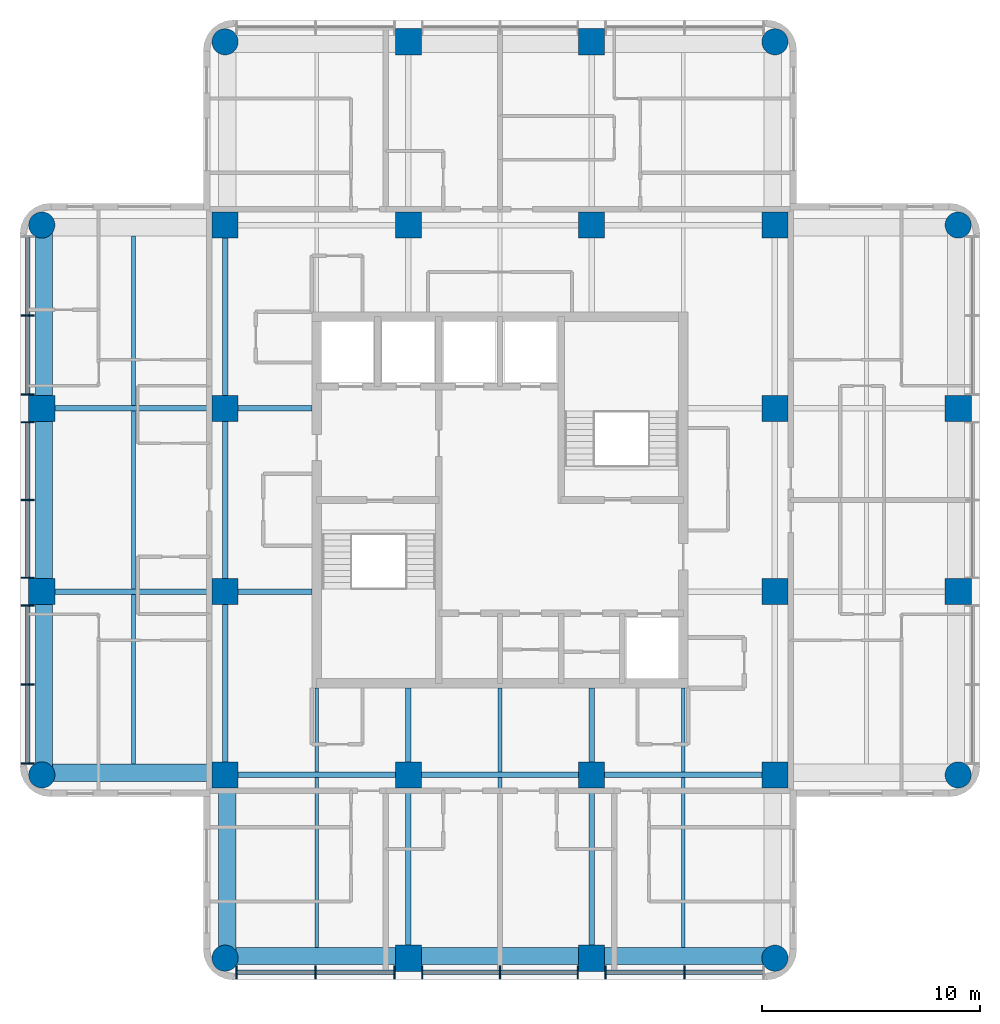
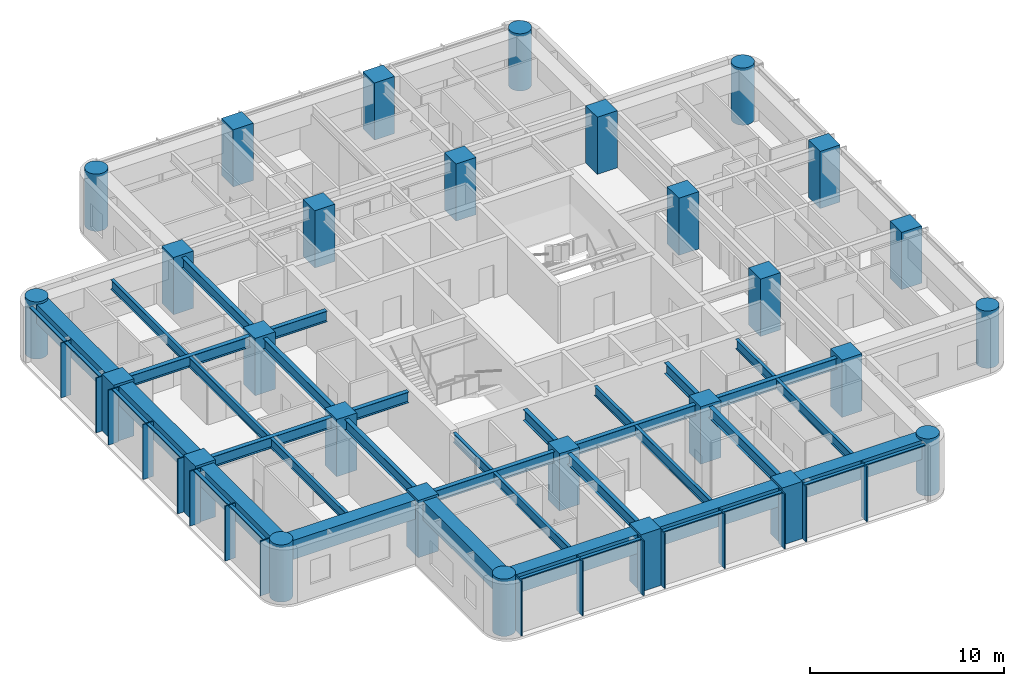
# One storey, part 1 of 10: 31 beams, 28 columns, 28 members, 2 elements without a shape of their own.
"""IFC4 building model written with IfcOpenShell, lengths in metres."""

from ifc_helpers import new_model, si_unit, direction, frame, origin, origin_2d, place, context, subcontext, project, spatial, rectangle, circle, i_section, extrude, material, material_profile, profile_set, type_object, element, aggregate, save


model = new_model("IFC4")

# Units and contexts
model_context = context("Model", 3, precision=1e-05, world=origin(), true_north=direction((0.0, 1.0)))
body_context = subcontext(model_context, "Body", "Model", "MODEL_VIEW")
ifc_project = project(units=[si_unit("LENGTHUNIT", "METRE"), si_unit("AREAUNIT", "SQUARE_METRE"), si_unit("VOLUMEUNIT", "CUBIC_METRE"), si_unit("PLANEANGLEUNIT", "RADIAN"), si_unit("MASSUNIT", "GRAM", prefix="KILO")], contexts=[model_context])

# Site, building, storey
site_placement = place(None, origin())
site = spatial("IfcSite", under=ifc_project, at=site_placement, CompositionType="ELEMENT")
building_placement = place(site_placement, origin())
building = spatial("IfcBuilding", under=site, at=building_placement, Name="Torre Alcanfor", CompositionType="ELEMENT")
storey_placement = place(building_placement, frame((0.0, 0.0, 275.699951171875)))
storey = spatial("IfcBuildingStorey", under=building, at=storey_placement, Name="L72", CompositionType="ELEMENT", Elevation=275.699951171875)

# Columns
ifc_material_1 = material(Name="Concrete f'c 70 MPa", Category="concrete")
ifc_material_profile_1 = material_profile(ifc_material_1, rectangle(XDim=1.199951171875, YDim=1.199951171875, at=origin_2d()), Name="1200x1200")
ifc_profile_set_1 = profile_set([ifc_material_profile_1], Name="Concrete f'c 70 MPa")
column_type_1 = type_object("IfcColumnType", Name="RC column 1200x1200 f'c70", PredefinedType="COLUMN", material=ifc_profile_set_1)
for number, where, z_axis, x_axis, name in (
    (1, (8.39990234375, 25.199951171875, 0.0), (0.0, 0.0, 1.0), (1.0, 0.0, 0.0), "Column 2/F L72"),
    (2, (8.39990234375, 33.60009765625, 0.0), (0.0, 0.0, 1.0), (1.0, 0.0, 0.0), "Column 2/G L72"),
    (3, (16.800048828125, 16.800048828125, 0.0), (0.0, 0.0, 1.0), (1.0, 0.0, 0.0), "Column 3/E L72"),
    (4, (16.800048828125, 25.199951171875, 0.0), (0.0, 0.0, 1.0), (1.0, 0.0, 0.0), "Column 3/F L72"),
    (5, (16.800048828125, 33.60009765625, 0.0), (0.0, 0.0, 1.0), (1.0, 0.0, 0.0), "Column 3/G L72"),
    (6, (16.800048828125, 42.0, 0.0), (0.0, 0.0, 1.0), (1.0, 0.0, 0.0), "Column 3/H L72"),
    (7, (25.199951171875, 8.39990234375, 0.0), (0.0, 0.0, 1.0), (1.0, 0.0, 0.0), "Column 4/D L72"),
    (8, (25.199951171875, 16.800048828125, 0.0), (0.0, 0.0, 1.0), (1.0, 0.0, 0.0), "Column 4/E L72"),
    (9, (25.199951171875, 42.0, 0.0), (0.0, 0.0, 1.0), (1.0, 0.0, 0.0), "Column 4/H L72"),
    (10, (25.199951171875, 50.39990234375, 0.0), (0.0, 0.0, 1.0), (1.0, 0.0, 0.0), "Column 4/J L72"),
    (11, (33.60009765625, 8.39990234375, 0.0), (0.0, 0.0, 1.0), (1.0, 0.0, 0.0), "Column 5/D L72"),
    (12, (33.60009765625, 16.800048828125, 0.0), (0.0, 0.0, 1.0), (1.0, 0.0, 0.0), "Column 5/E L72"),
    (13, (33.60009765625, 42.0, 0.0), (0.0, 0.0, 1.0), (1.0, 0.0, 0.0), "Column 5/H L72"),
    (14, (33.60009765625, 50.39990234375, 0.0), (0.0, 0.0, 1.0), (1.0, 0.0, 0.0), "Column 5/J L72"),
    (15, (42.0, 16.800048828125, 0.0), (0.0, 0.0, 1.0), (1.0, 0.0, 0.0), "Column 6/E L72"),
    (16, (42.0, 25.199951171875, 0.0), (0.0, 0.0, 1.0), (1.0, 0.0, 0.0), "Column 6/F L72"),
    (17, (42.0, 33.60009765625, 0.0), (0.0, 0.0, 1.0), (1.0, 0.0, 0.0), "Column 6/G L72"),
    (18, (42.0, 42.0, 0.0), (0.0, 0.0, 1.0), (1.0, 0.0, 0.0), "Column 6/H L72"),
    (19, (50.39990234375, 25.199951171875, 0.0), (0.0, 0.0, 1.0), (1.0, 0.0, 0.0), "Column 7/F L72"),
    (20, (50.39990234375, 33.60009765625, 0.0), (0.0, 0.0, 1.0), (1.0, 0.0, 0.0), "Column 7/G L72"),
):
    element("IfcColumn", number, at=place(storey_placement, frame(where, z_axis=z_axis, x_axis=x_axis)), inside=storey, type_object=column_type_1, Name=name, PredefinedType="COLUMN", context=body_context, shape_type="SweptSolid", body=[
        extrude(rectangle(XDim=1.199951171875, YDim=1.199951171875, at=origin_2d()), origin(), (0.0, 0.0, 1.0), 3.60009765625),
    ])
ifc_material_2 = material(Name="Concrete f'c 70 MPa", Category="concrete")
ifc_material_profile_2 = material_profile(ifc_material_2, circle(Radius=0.60009765625, at=origin_2d()), Name="D1200")
ifc_profile_set_2 = profile_set([ifc_material_profile_2], Name="Concrete f'c 70 MPa")
column_type_2 = type_object("IfcColumnType", Name="RC column D1200 f'c70", PredefinedType="COLUMN", material=ifc_profile_set_2)
for number, where, z_axis, x_axis, name in (
    (21, (8.39990234375, 16.800048828125, 0.0), (0.0, 0.0, 1.0), (1.0, 0.0, 0.0), "Column 2/E L72"),
    (22, (8.39990234375, 42.0, 0.0), (0.0, 0.0, 1.0), (1.0, 0.0, 0.0), "Column 2/H L72"),
    (23, (16.800048828125, 8.39990234375, 0.0), (0.0, 0.0, 1.0), (1.0, 0.0, 0.0), "Column 3/D L72"),
    (24, (16.800048828125, 50.39990234375, 0.0), (0.0, 0.0, 1.0), (1.0, 0.0, 0.0), "Column 3/J L72"),
    (25, (42.0, 8.39990234375, 0.0), (0.0, 0.0, 1.0), (1.0, 0.0, 0.0), "Column 6/D L72"),
    (26, (42.0, 50.39990234375, 0.0), (0.0, 0.0, 1.0), (1.0, 0.0, 0.0), "Column 6/J L72"),
    (27, (50.39990234375, 16.800048828125, 0.0), (0.0, 0.0, 1.0), (1.0, 0.0, 0.0), "Column 7/E L72"),
    (28, (50.39990234375, 42.0, 0.0), (0.0, 0.0, 1.0), (1.0, 0.0, 0.0), "Column 7/H L72"),
):
    element("IfcColumn", number, at=place(storey_placement, frame(where, z_axis=z_axis, x_axis=x_axis)), inside=storey, type_object=column_type_2, Name=name, PredefinedType="COLUMN", context=body_context, shape_type="SweptSolid", body=[
        extrude(circle(Radius=0.60009765625, at=origin_2d()), origin(), (0.0, 0.0, 1.0), 3.60009765625),
    ])

# Curtain wall, members
ifc_material_3 = material(Name="Aluminium and glass", Category="aluminium")
curtain_wall_type = type_object("IfcCurtainWallType", Name="CW-A unitised apartment glazing with vertical FIN", PredefinedType="NOTDEFINED", material=ifc_material_3)
curtain_wall_1_placement = place(storey_placement, origin())
curtain_wall_1 = element("IfcCurtainWall", 29, at=curtain_wall_1_placement, inside=storey, type_object=curtain_wall_type, Name="Curtain wall CW-A L72 2", PredefinedType="NOTDEFINED")
ifc_material_4 = material(Name="Bronze anodised aluminium", Category="aluminium")
ifc_material_profile_3 = material_profile(ifc_material_4, rectangle(XDim=0.60009765625, YDim=0.06494140625, at=origin_2d()), Name="CW-A mullion 65x600")
ifc_profile_set_3 = profile_set([ifc_material_profile_3], Name="Bronze anodised aluminium")
member_type_1 = type_object("IfcMemberType", Name="CW-A mullion with vertical FIN 65x600", PredefinedType="MULLION", material=ifc_profile_set_3)
member_1_placement = place(storey_placement, frame((7.75, 37.855712890625, 0.0), z_axis=(0.0, 0.0, 1.0), x_axis=(1.0, 0.0, 0.0)))
member_1 = element("IfcMember", 30, at=member_1_placement, type_object=member_type_1, Name="CW-A mullion 1.2", PredefinedType="MULLION", context=body_context, shape_type="SweptSolid", body=[
    extrude(rectangle(XDim=0.60009765625, YDim=0.06494140625, at=origin_2d()), origin(), (0.0, 0.0, 1.0), 3.449951171875),
])
member_2_placement = place(storey_placement, frame((7.75, 34.237548828125, 0.0), z_axis=(0.0, 0.0, 1.0), x_axis=(1.0, 0.0, 0.0)))
member_2 = element("IfcMember", 31, at=member_2_placement, type_object=member_type_1, Name="CW-A mullion 1.3", PredefinedType="MULLION", context=body_context, shape_type="SweptSolid", body=[
    extrude(rectangle(XDim=0.60009765625, YDim=0.06494140625, at=origin_2d()), origin(), (0.0, 0.0, 1.0), 3.449951171875),
])
member_3_placement = place(storey_placement, frame((7.75, 32.96240234375, 0.0), z_axis=(0.0, 0.0, 1.0), x_axis=(1.0, 0.0, 0.0)))
member_3 = element("IfcMember", 32, at=member_3_placement, type_object=member_type_1, Name="CW-A mullion 2.1", PredefinedType="MULLION", context=body_context, shape_type="SweptSolid", body=[
    extrude(rectangle(XDim=0.60009765625, YDim=0.06494140625, at=origin_2d()), origin(), (0.0, 0.0, 1.0), 3.449951171875),
])
member_4_placement = place(storey_placement, frame((7.75, 29.39990234375, 0.0), z_axis=(0.0, 0.0, 1.0), x_axis=(1.0, 0.0, 0.0)))
member_4 = element("IfcMember", 33, at=member_4_placement, type_object=member_type_1, Name="CW-A mullion 2.2", PredefinedType="MULLION", context=body_context, shape_type="SweptSolid", body=[
    extrude(rectangle(XDim=0.60009765625, YDim=0.06494140625, at=origin_2d()), origin(), (0.0, 0.0, 1.0), 3.449951171875),
])
member_5_placement = place(storey_placement, frame((7.75, 25.83740234375, 0.0), z_axis=(0.0, 0.0, 1.0), x_axis=(1.0, 0.0, 0.0)))
member_5 = element("IfcMember", 34, at=member_5_placement, type_object=member_type_1, Name="CW-A mullion 2.3", PredefinedType="MULLION", context=body_context, shape_type="SweptSolid", body=[
    extrude(rectangle(XDim=0.60009765625, YDim=0.06494140625, at=origin_2d()), origin(), (0.0, 0.0, 1.0), 3.449951171875),
])
member_6_placement = place(storey_placement, frame((7.75, 24.5625, 0.0), z_axis=(0.0, 0.0, 1.0), x_axis=(1.0, 0.0, 0.0)))
member_6 = element("IfcMember", 35, at=member_6_placement, type_object=member_type_1, Name="CW-A mullion 3.1", PredefinedType="MULLION", context=body_context, shape_type="SweptSolid", body=[
    extrude(rectangle(XDim=0.60009765625, YDim=0.06494140625, at=origin_2d()), origin(), (0.0, 0.0, 1.0), 3.449951171875),
])
member_7_placement = place(storey_placement, frame((7.75, 20.9443359375, 0.0), z_axis=(0.0, 0.0, 1.0), x_axis=(1.0, 0.0, 0.0)))
member_7 = element("IfcMember", 36, at=member_7_placement, type_object=member_type_1, Name="CW-A mullion 3.2", PredefinedType="MULLION", context=body_context, shape_type="SweptSolid", body=[
    extrude(rectangle(XDim=0.60009765625, YDim=0.06494140625, at=origin_2d()), origin(), (0.0, 0.0, 1.0), 3.449951171875),
])
member_8_placement = place(storey_placement, frame((7.75, 17.325927734375, 0.0), z_axis=(0.0, 0.0, 1.0), x_axis=(1.0, 0.0, 0.0)))
member_8 = element("IfcMember", 37, at=member_8_placement, type_object=member_type_1, Name="CW-A mullion 3.3", PredefinedType="MULLION", context=body_context, shape_type="SweptSolid", body=[
    extrude(rectangle(XDim=0.60009765625, YDim=0.06494140625, at=origin_2d()), origin(), (0.0, 0.0, 1.0), 3.449951171875),
])

curtain_wall_2_placement = place(storey_placement, origin())
curtain_wall_2 = element("IfcCurtainWall", 38, at=curtain_wall_2_placement, inside=storey, type_object=curtain_wall_type, Name="Curtain wall CW-A L72 5", PredefinedType="NOTDEFINED")
member_9_placement = place(storey_placement, frame((17.325927734375, 7.75, 0.0), z_axis=(0.0, 0.0, 1.0), x_axis=(0.0, 1.0, 0.0)))
member_9 = element("IfcMember", 39, at=member_9_placement, type_object=member_type_1, Name="CW-A mullion 1.1", PredefinedType="MULLION", context=body_context, shape_type="SweptSolid", body=[
    extrude(rectangle(XDim=0.60009765625, YDim=0.06494140625, at=origin_2d()), origin(), (0.0, 0.0, 1.0), 3.449951171875),
])
member_10_placement = place(storey_placement, frame((20.9443359375, 7.75, 0.0), z_axis=(0.0, 0.0, 1.0), x_axis=(0.0, 1.0, 0.0)))
member_10 = element("IfcMember", 40, at=member_10_placement, type_object=member_type_1, Name="CW-A mullion 1.2", PredefinedType="MULLION", context=body_context, shape_type="SweptSolid", body=[
    extrude(rectangle(XDim=0.60009765625, YDim=0.06494140625, at=origin_2d()), origin(), (0.0, 0.0, 1.0), 3.449951171875),
])
member_11_placement = place(storey_placement, frame((24.5625, 7.75, 0.0), z_axis=(0.0, 0.0, 1.0), x_axis=(0.0, 1.0, 0.0)))
member_11 = element("IfcMember", 41, at=member_11_placement, type_object=member_type_1, Name="CW-A mullion 1.3", PredefinedType="MULLION", context=body_context, shape_type="SweptSolid", body=[
    extrude(rectangle(XDim=0.60009765625, YDim=0.06494140625, at=origin_2d()), origin(), (0.0, 0.0, 1.0), 3.449951171875),
])
member_12_placement = place(storey_placement, frame((25.83740234375, 7.75, 0.0), z_axis=(0.0, 0.0, 1.0), x_axis=(0.0, 1.0, 0.0)))
member_12 = element("IfcMember", 42, at=member_12_placement, type_object=member_type_1, Name="CW-A mullion 2.1", PredefinedType="MULLION", context=body_context, shape_type="SweptSolid", body=[
    extrude(rectangle(XDim=0.60009765625, YDim=0.06494140625, at=origin_2d()), origin(), (0.0, 0.0, 1.0), 3.449951171875),
])
member_13_placement = place(storey_placement, frame((29.39990234375, 7.75, 0.0), z_axis=(0.0, 0.0, 1.0), x_axis=(0.0, 1.0, 0.0)))
member_13 = element("IfcMember", 43, at=member_13_placement, type_object=member_type_1, Name="CW-A mullion 2.2", PredefinedType="MULLION", context=body_context, shape_type="SweptSolid", body=[
    extrude(rectangle(XDim=0.60009765625, YDim=0.06494140625, at=origin_2d()), origin(), (0.0, 0.0, 1.0), 3.449951171875),
])
member_14_placement = place(storey_placement, frame((32.96240234375, 7.75, 0.0), z_axis=(0.0, 0.0, 1.0), x_axis=(0.0, 1.0, 0.0)))
member_14 = element("IfcMember", 44, at=member_14_placement, type_object=member_type_1, Name="CW-A mullion 2.3", PredefinedType="MULLION", context=body_context, shape_type="SweptSolid", body=[
    extrude(rectangle(XDim=0.60009765625, YDim=0.06494140625, at=origin_2d()), origin(), (0.0, 0.0, 1.0), 3.449951171875),
])
member_15_placement = place(storey_placement, frame((34.237548828125, 7.75, 0.0), z_axis=(0.0, 0.0, 1.0), x_axis=(0.0, 1.0, 0.0)))
member_15 = element("IfcMember", 45, at=member_15_placement, type_object=member_type_1, Name="CW-A mullion 3.1", PredefinedType="MULLION", context=body_context, shape_type="SweptSolid", body=[
    extrude(rectangle(XDim=0.60009765625, YDim=0.06494140625, at=origin_2d()), origin(), (0.0, 0.0, 1.0), 3.449951171875),
])
member_16_placement = place(storey_placement, frame((37.855712890625, 7.75, 0.0), z_axis=(0.0, 0.0, 1.0), x_axis=(0.0, 1.0, 0.0)))
member_16 = element("IfcMember", 46, at=member_16_placement, type_object=member_type_1, Name="CW-A mullion 3.2", PredefinedType="MULLION", context=body_context, shape_type="SweptSolid", body=[
    extrude(rectangle(XDim=0.60009765625, YDim=0.06494140625, at=origin_2d()), origin(), (0.0, 0.0, 1.0), 3.449951171875),
])

# Member
ifc_material_5 = material(Name="Extruded aluminium", Category="aluminium")
ifc_material_profile_4 = material_profile(ifc_material_5, rectangle(XDim=0.199951171875, YDim=0.06494140625, at=origin_2d()), Name="CW-A transom 200x65")
ifc_profile_set_4 = profile_set([ifc_material_profile_4], Name="Extruded aluminium")
member_type_2 = type_object("IfcMemberType", Name="CW-A transom 65x200", PredefinedType="USERDEFINED", material=ifc_profile_set_4)
member_17_placement = place(storey_placement, frame((7.75, 41.44140625, 3.41748046875), z_axis=(0.0, -1.0, 0.0), x_axis=(1.0, 0.0, 0.0)))
member_17 = element("IfcMember", 47, at=member_17_placement, type_object=member_type_2, Name="CW-A transom 1.1.2", ObjectType="TRANSOM", PredefinedType="USERDEFINED", context=body_context, shape_type="SweptSolid", body=[
    extrude(rectangle(XDim=0.199951171875, YDim=0.06494140625, at=origin_2d()), origin(), (0.0, 0.0, 1.0), 3.55322265625),
])

member_18_placement = place(storey_placement, frame((7.75, 37.8232421875, 3.41748046875), z_axis=(0.0, -1.0, 0.0), x_axis=(1.0, 0.0, 0.0)))
member_18 = element("IfcMember", 48, at=member_18_placement, type_object=member_type_2, Name="CW-A transom 1.2.2", ObjectType="TRANSOM", PredefinedType="USERDEFINED", context=body_context, shape_type="SweptSolid", body=[
    extrude(rectangle(XDim=0.199951171875, YDim=0.06494140625, at=origin_2d()), origin(), (0.0, 0.0, 1.0), 3.55322265625),
])

member_19_placement = place(storey_placement, frame((7.75, 32.929931640625, 3.41748046875), z_axis=(0.0, -1.0, 0.0), x_axis=(1.0, 0.0, 0.0)))
member_19 = element("IfcMember", 49, at=member_19_placement, type_object=member_type_2, Name="CW-A transom 2.1.2", ObjectType="TRANSOM", PredefinedType="USERDEFINED", context=body_context, shape_type="SweptSolid", body=[
    extrude(rectangle(XDim=0.199951171875, YDim=0.06494140625, at=origin_2d()), origin(), (0.0, 0.0, 1.0), 3.497314453125),
])

member_20_placement = place(storey_placement, frame((7.75, 29.367431640625, 3.41748046875), z_axis=(0.0, -1.0, 0.0), x_axis=(1.0, 0.0, 0.0)))
member_20 = element("IfcMember", 50, at=member_20_placement, type_object=member_type_2, Name="CW-A transom 2.2.2", ObjectType="TRANSOM", PredefinedType="USERDEFINED", context=body_context, shape_type="SweptSolid", body=[
    extrude(rectangle(XDim=0.199951171875, YDim=0.06494140625, at=origin_2d()), origin(), (0.0, 0.0, 1.0), 3.497314453125),
])

member_21_placement = place(storey_placement, frame((7.75, 24.530029296875, 3.41748046875), z_axis=(0.0, -1.0, 0.0), x_axis=(1.0, 0.0, 0.0)))
member_21 = element("IfcMember", 51, at=member_21_placement, type_object=member_type_2, Name="CW-A transom 3.1.2", ObjectType="TRANSOM", PredefinedType="USERDEFINED", context=body_context, shape_type="SweptSolid", body=[
    extrude(rectangle(XDim=0.199951171875, YDim=0.06494140625, at=origin_2d()), origin(), (0.0, 0.0, 1.0), 3.55322265625),
])

member_22_placement = place(storey_placement, frame((7.75, 20.911865234375, 3.41748046875), z_axis=(0.0, -1.0, 0.0), x_axis=(1.0, 0.0, 0.0)))
member_22 = element("IfcMember", 52, at=member_22_placement, type_object=member_type_2, Name="CW-A transom 3.2.2", ObjectType="TRANSOM", PredefinedType="USERDEFINED", context=body_context, shape_type="SweptSolid", body=[
    extrude(rectangle(XDim=0.199951171875, YDim=0.06494140625, at=origin_2d()), origin(), (0.0, 0.0, 1.0), 3.553466796875),
])

aggregate(curtain_wall_1, [member_1, member_2, member_17, member_18, member_3, member_4, member_5, member_19, member_20, member_6, member_7, member_8, member_21, member_22])

member_23_placement = place(storey_placement, frame((17.3583984375, 7.75, 3.41748046875), z_axis=(1.0, 0.0, 0.0), x_axis=(0.0, 1.0, 0.0)))
member_23 = element("IfcMember", 53, at=member_23_placement, type_object=member_type_2, Name="CW-A transom 1.1.2", ObjectType="TRANSOM", PredefinedType="USERDEFINED", context=body_context, shape_type="SweptSolid", body=[
    extrude(rectangle(XDim=0.199951171875, YDim=0.06494140625, at=origin_2d()), origin(), (0.0, 0.0, 1.0), 3.553466796875),
])

member_24_placement = place(storey_placement, frame((20.976806640625, 7.75, 3.41748046875), z_axis=(1.0, 0.0, 0.0), x_axis=(0.0, 1.0, 0.0)))
member_24 = element("IfcMember", 54, at=member_24_placement, type_object=member_type_2, Name="CW-A transom 1.2.2", ObjectType="TRANSOM", PredefinedType="USERDEFINED", context=body_context, shape_type="SweptSolid", body=[
    extrude(rectangle(XDim=0.199951171875, YDim=0.06494140625, at=origin_2d()), origin(), (0.0, 0.0, 1.0), 3.55322265625),
])

member_25_placement = place(storey_placement, frame((25.8701171875, 7.75, 3.41748046875), z_axis=(1.0, 0.0, 0.0), x_axis=(0.0, 1.0, 0.0)))
member_25 = element("IfcMember", 55, at=member_25_placement, type_object=member_type_2, Name="CW-A transom 2.1.2", ObjectType="TRANSOM", PredefinedType="USERDEFINED", context=body_context, shape_type="SweptSolid", body=[
    extrude(rectangle(XDim=0.199951171875, YDim=0.06494140625, at=origin_2d()), origin(), (0.0, 0.0, 1.0), 3.497314453125),
])

member_26_placement = place(storey_placement, frame((29.4326171875, 7.75, 3.41748046875), z_axis=(1.0, 0.0, 0.0), x_axis=(0.0, 1.0, 0.0)))
member_26 = element("IfcMember", 56, at=member_26_placement, type_object=member_type_2, Name="CW-A transom 2.2.2", ObjectType="TRANSOM", PredefinedType="USERDEFINED", context=body_context, shape_type="SweptSolid", body=[
    extrude(rectangle(XDim=0.199951171875, YDim=0.06494140625, at=origin_2d()), origin(), (0.0, 0.0, 1.0), 3.497314453125),
])

member_27_placement = place(storey_placement, frame((34.27001953125, 7.75, 3.41748046875), z_axis=(1.0, 0.0, 0.0), x_axis=(0.0, 1.0, 0.0)))
member_27 = element("IfcMember", 57, at=member_27_placement, type_object=member_type_2, Name="CW-A transom 3.1.2", ObjectType="TRANSOM", PredefinedType="USERDEFINED", context=body_context, shape_type="SweptSolid", body=[
    extrude(rectangle(XDim=0.199951171875, YDim=0.06494140625, at=origin_2d()), origin(), (0.0, 0.0, 1.0), 3.55322265625),
])

member_28_placement = place(storey_placement, frame((37.88818359375, 7.75, 3.41748046875), z_axis=(1.0, 0.0, 0.0), x_axis=(0.0, 1.0, 0.0)))
member_28 = element("IfcMember", 58, at=member_28_placement, type_object=member_type_2, Name="CW-A transom 3.2.2", ObjectType="TRANSOM", PredefinedType="USERDEFINED", context=body_context, shape_type="SweptSolid", body=[
    extrude(rectangle(XDim=0.199951171875, YDim=0.06494140625, at=origin_2d()), origin(), (0.0, 0.0, 1.0), 3.55322265625),
])

aggregate(curtain_wall_2, [member_9, member_10, member_11, member_23, member_24, member_12, member_13, member_14, member_25, member_26, member_15, member_16, member_27, member_28])

# Beams
ifc_material_6 = material(Name="Steel ASTM A992 Grade 50", Category="steel")
ifc_material_profile_5 = material_profile(ifc_material_6, i_section(OverallWidth=0.25390625, OverallDepth=0.683349609375, WebThickness=0.012451171875, FlangeThickness=0.01904296875, at=origin_2d()), Name="W27x94")
ifc_profile_set_5 = profile_set([ifc_material_profile_5], Name="Steel ASTM A992 Grade 50")
beam_type_1 = type_object("IfcBeamType", Name="Girder W27x94", PredefinedType="BEAM", material=ifc_profile_set_5)
beam_1_placement = place(storey_placement, frame((16.800048828125, 16.800048828125, 3.1083984375), z_axis=(1.0, 0.0, 0.0), x_axis=(0.0, 1.0, 0.0)))
element("IfcBeam", 59, at=beam_1_placement, inside=storey, type_object=beam_type_1, Name="Beam 3E-4E under L73", PredefinedType="BEAM", context=body_context, shape_type="SweptSolid", body=[
    extrude(i_section(OverallWidth=0.25390625, OverallDepth=0.683349609375, WebThickness=0.012451171875, FlangeThickness=0.01904296875, at=origin_2d()), origin(), (0.0, 0.0, 1.0), 8.39990234375),
])
beam_2_placement = place(storey_placement, frame((25.199951171875, 16.800048828125, 3.1083984375), z_axis=(1.0, 0.0, 0.0), x_axis=(0.0, 1.0, 0.0)))
element("IfcBeam", 60, at=beam_2_placement, inside=storey, type_object=beam_type_1, Name="Beam 4E-5E under L73", PredefinedType="BEAM", context=body_context, shape_type="SweptSolid", body=[
    extrude(i_section(OverallWidth=0.25390625, OverallDepth=0.683349609375, WebThickness=0.012451171875, FlangeThickness=0.01904296875, at=origin_2d()), origin(), (0.0, 0.0, 1.0), 8.400146484375),
])
beam_3_placement = place(storey_placement, frame((33.60009765625, 16.800048828125, 3.1083984375), z_axis=(1.0, 0.0, 0.0), x_axis=(0.0, 1.0, 0.0)))
element("IfcBeam", 61, at=beam_3_placement, inside=storey, type_object=beam_type_1, Name="Beam 5E-6E under L73", PredefinedType="BEAM", context=body_context, shape_type="SweptSolid", body=[
    extrude(i_section(OverallWidth=0.25390625, OverallDepth=0.683349609375, WebThickness=0.012451171875, FlangeThickness=0.01904296875, at=origin_2d()), origin(), (0.0, 0.0, 1.0), 8.39990234375),
])
for number, where, z_axis, x_axis, name in (
    (62, (8.39990234375, 25.199951171875, 3.1083984375), (1.0, 0.0, 0.0), (0.0, 1.0, 0.0), "Beam 2F-3F under L73"),
    (63, (8.39990234375, 33.60009765625, 3.1083984375), (1.0, 0.0, 0.0), (0.0, 1.0, 0.0), "Beam 2G-3G under L73"),
):
    element("IfcBeam", number, at=place(storey_placement, frame(where, z_axis=z_axis, x_axis=x_axis)), inside=storey, type_object=beam_type_1, Name=name, PredefinedType="BEAM", context=body_context, shape_type="SweptSolid", body=[
        extrude(i_section(OverallWidth=0.25390625, OverallDepth=0.683349609375, WebThickness=0.012451171875, FlangeThickness=0.01904296875, at=origin_2d()), origin(), (0.0, 0.0, 1.0), 8.400146484375),
    ])
beam_4_placement = place(storey_placement, frame((16.800048828125, 16.800048828125, 3.1083984375), z_axis=(0.0, 1.0, 0.0), x_axis=(-1.0, 0.0, 0.0)))
element("IfcBeam", 64, at=beam_4_placement, inside=storey, type_object=beam_type_1, Name="Beam 3E-3F under L73", PredefinedType="BEAM", context=body_context, shape_type="SweptSolid", body=[
    extrude(i_section(OverallWidth=0.25390625, OverallDepth=0.683349609375, WebThickness=0.012451171875, FlangeThickness=0.01904296875, at=origin_2d()), origin(), (0.0, 0.0, 1.0), 8.39990234375),
])
beam_5_placement = place(storey_placement, frame((16.800048828125, 25.199951171875, 3.1083984375), z_axis=(0.0, 1.0, 0.0), x_axis=(-1.0, 0.0, 0.0)))
element("IfcBeam", 65, at=beam_5_placement, inside=storey, type_object=beam_type_1, Name="Beam 3F-3G under L73", PredefinedType="BEAM", context=body_context, shape_type="SweptSolid", body=[
    extrude(i_section(OverallWidth=0.25390625, OverallDepth=0.683349609375, WebThickness=0.012451171875, FlangeThickness=0.01904296875, at=origin_2d()), origin(), (0.0, 0.0, 1.0), 8.400146484375),
])
beam_6_placement = place(storey_placement, frame((16.800048828125, 33.60009765625, 3.1083984375), z_axis=(0.0, 1.0, 0.0), x_axis=(-1.0, 0.0, 0.0)))
element("IfcBeam", 66, at=beam_6_placement, inside=storey, type_object=beam_type_1, Name="Beam 3G-3H under L73", PredefinedType="BEAM", context=body_context, shape_type="SweptSolid", body=[
    extrude(i_section(OverallWidth=0.25390625, OverallDepth=0.683349609375, WebThickness=0.012451171875, FlangeThickness=0.01904296875, at=origin_2d()), origin(), (0.0, 0.0, 1.0), 8.39990234375),
])
for number, where, z_axis, x_axis, name in (
    (67, (25.199951171875, 8.39990234375, 3.1083984375), (0.0, 1.0, 0.0), (-1.0, 0.0, 0.0), "Beam 4D-4E under L73"),
    (68, (33.60009765625, 8.39990234375, 3.1083984375), (0.0, 1.0, 0.0), (-1.0, 0.0, 0.0), "Beam 5D-5E under L73"),
):
    element("IfcBeam", number, at=place(storey_placement, frame(where, z_axis=z_axis, x_axis=x_axis)), inside=storey, type_object=beam_type_1, Name=name, PredefinedType="BEAM", context=body_context, shape_type="SweptSolid", body=[
        extrude(i_section(OverallWidth=0.25390625, OverallDepth=0.683349609375, WebThickness=0.012451171875, FlangeThickness=0.01904296875, at=origin_2d()), origin(), (0.0, 0.0, 1.0), 8.400146484375),
    ])
ifc_material_7 = material(Name="Steel ASTM A992 Grade 50", Category="steel")
ifc_material_profile_6 = material_profile(ifc_material_7, i_section(OverallWidth=0.25390625, OverallDepth=0.683349609375, WebThickness=0.012451171875, FlangeThickness=0.01904296875, at=origin_2d()), Name="W27x94")
ifc_profile_set_6 = profile_set([ifc_material_profile_6], Name="Steel ASTM A992 Grade 50")
beam_type_2 = type_object("IfcBeamType", Name="Girder, part bay W27x94", PredefinedType="BEAM", material=ifc_profile_set_6)
for number, where, z_axis, x_axis, name in (
    (69, (25.199951171875, 16.800048828125, 3.1083984375), (0.0, 1.0, 0.0), (-1.0, 0.0, 0.0), "Beam 4E-420_775 under L73"),
    (70, (33.60009765625, 16.800048828125, 3.1083984375), (0.0, 1.0, 0.0), (-1.0, 0.0, 0.0), "Beam 5E-520_775 under L73"),
    (71, (16.800048828125, 25.199951171875, 3.1083984375), (1.0, 0.0, 0.0), (0.0, 1.0, 0.0), "Beam 3F-20_775F under L73"),
    (72, (16.800048828125, 33.60009765625, 3.1083984375), (1.0, 0.0, 0.0), (0.0, 1.0, 0.0), "Beam 3G-20_775G under L73"),
):
    element("IfcBeam", number, at=place(storey_placement, frame(where, z_axis=z_axis, x_axis=x_axis)), inside=storey, type_object=beam_type_2, Name=name, PredefinedType="BEAM", context=body_context, shape_type="SweptSolid", body=[
        extrude(i_section(OverallWidth=0.25390625, OverallDepth=0.683349609375, WebThickness=0.012451171875, FlangeThickness=0.01904296875, at=origin_2d()), origin(), (0.0, 0.0, 1.0), 3.974853515625),
    ])
ifc_material_8 = material(Name="Concrete f'c 70 MPa", Category="concrete")
ifc_material_profile_7 = material_profile(ifc_material_8, rectangle(XDim=0.800048828125, YDim=1.199951171875, at=origin_2d()), Name="800x1200")
ifc_profile_set_7 = profile_set([ifc_material_profile_7], Name="Concrete f'c 70 MPa")
beam_type_3 = type_object("IfcBeamType", Name="RC perimeter beam 800x1200", PredefinedType="BEAM", material=ifc_profile_set_7)
beam_7_placement = place(storey_placement, frame((16.800048828125, 8.5, 2.85009765625), z_axis=(1.0, 0.0, 0.0), x_axis=(0.0, 1.0, 0.0)))
element("IfcBeam", 73, at=beam_7_placement, inside=storey, type_object=beam_type_3, Name="Beam 3D-4D under L73", PredefinedType="BEAM", context=body_context, shape_type="SweptSolid", body=[
    extrude(rectangle(XDim=0.800048828125, YDim=1.199951171875, at=origin_2d()), origin(), (0.0, 0.0, 1.0), 8.27294921875),
])
beam_8_placement = place(storey_placement, frame((25.326904296875, 8.5, 2.85009765625), z_axis=(1.0, 0.0, 0.0), x_axis=(0.0, 1.0, 0.0)))
element("IfcBeam", 74, at=beam_8_placement, inside=storey, type_object=beam_type_3, Name="Beam 4D-5D under L73", PredefinedType="BEAM", context=body_context, shape_type="SweptSolid", body=[
    extrude(rectangle(XDim=0.800048828125, YDim=1.199951171875, at=origin_2d()), origin(), (0.0, 0.0, 1.0), 8.14599609375),
])
beam_9_placement = place(storey_placement, frame((33.72705078125, 8.5, 2.85009765625), z_axis=(1.0, 0.0, 0.0), x_axis=(0.0, 1.0, 0.0)))
element("IfcBeam", 75, at=beam_9_placement, inside=storey, type_object=beam_type_3, Name="Beam 5D-6D under L73", PredefinedType="BEAM", context=body_context, shape_type="SweptSolid", body=[
    extrude(rectangle(XDim=0.800048828125, YDim=1.199951171875, at=origin_2d()), origin(), (0.0, 0.0, 1.0), 8.27294921875),
])
beam_10_placement = place(storey_placement, frame((8.39990234375, 16.89990234375, 2.85009765625), z_axis=(1.0, 0.0, 0.0), x_axis=(0.0, 1.0, 0.0)))
element("IfcBeam", 76, at=beam_10_placement, inside=storey, type_object=beam_type_3, Name="Beam 2E-3E under L73", PredefinedType="BEAM", context=body_context, shape_type="SweptSolid", body=[
    extrude(rectangle(XDim=0.800048828125, YDim=1.199951171875, at=origin_2d()), origin(), (0.0, 0.0, 1.0), 8.273193359375),
])
beam_11_placement = place(storey_placement, frame((8.5, 16.800048828125, 2.85009765625), z_axis=(0.0, 1.0, 0.0), x_axis=(-1.0, 0.0, 0.0)))
element("IfcBeam", 77, at=beam_11_placement, inside=storey, type_object=beam_type_3, Name="Beam 2E-2F under L73", PredefinedType="BEAM", context=body_context, shape_type="SweptSolid", body=[
    extrude(rectangle(XDim=0.800048828125, YDim=1.199951171875, at=origin_2d()), origin(), (0.0, 0.0, 1.0), 8.27294921875),
])
beam_12_placement = place(storey_placement, frame((8.5, 25.326904296875, 2.85009765625), z_axis=(0.0, 1.0, 0.0), x_axis=(-1.0, 0.0, 0.0)))
element("IfcBeam", 78, at=beam_12_placement, inside=storey, type_object=beam_type_3, Name="Beam 2F-2G under L73", PredefinedType="BEAM", context=body_context, shape_type="SweptSolid", body=[
    extrude(rectangle(XDim=0.800048828125, YDim=1.199951171875, at=origin_2d()), origin(), (0.0, 0.0, 1.0), 8.14599609375),
])
beam_13_placement = place(storey_placement, frame((8.5, 33.72705078125, 2.85009765625), z_axis=(0.0, 1.0, 0.0), x_axis=(-1.0, 0.0, 0.0)))
element("IfcBeam", 79, at=beam_13_placement, inside=storey, type_object=beam_type_3, Name="Beam 2G-2H under L73", PredefinedType="BEAM", context=body_context, shape_type="SweptSolid", body=[
    extrude(rectangle(XDim=0.800048828125, YDim=1.199951171875, at=origin_2d()), origin(), (0.0, 0.0, 1.0), 8.27294921875),
])
beam_14_placement = place(storey_placement, frame((16.89990234375, 8.39990234375, 2.85009765625), z_axis=(0.0, 1.0, 0.0), x_axis=(-1.0, 0.0, 0.0)))
element("IfcBeam", 80, at=beam_14_placement, inside=storey, type_object=beam_type_3, Name="Beam 3D-3E under L73", PredefinedType="BEAM", context=body_context, shape_type="SweptSolid", body=[
    extrude(rectangle(XDim=0.800048828125, YDim=1.199951171875, at=origin_2d()), origin(), (0.0, 0.0, 1.0), 8.273193359375),
])
ifc_material_9 = material(Name="Steel ASTM A992 Grade 50", Category="steel")
ifc_material_profile_8 = material_profile(ifc_material_9, i_section(OverallWidth=0.1787109375, OverallDepth=0.60205078125, WebThickness=0.010986328125, FlangeThickness=0.014892578125, at=origin_2d()), Name="W24x62")
ifc_profile_set_8 = profile_set([ifc_material_profile_8], Name="Steel ASTM A992 Grade 50")
beam_type_4 = type_object("IfcBeamType", Name="Secondary beam W24x62", PredefinedType="BEAM", material=ifc_profile_set_8)
beam_15_placement = place(storey_placement, frame((12.60009765625, 17.300048828125, 3.149169921875), z_axis=(0.0, 1.0, 0.0), x_axis=(-1.0, 0.0, 0.0)))
element("IfcBeam", 81, at=beam_15_placement, inside=storey, type_object=beam_type_4, Name="Beam 12_6E-12_6F under L73", PredefinedType="BEAM", context=body_context, shape_type="SweptSolid", body=[
    extrude(i_section(OverallWidth=0.1787109375, OverallDepth=0.60205078125, WebThickness=0.010986328125, FlangeThickness=0.014892578125, at=origin_2d()), origin(), (0.0, 0.0, 1.0), 7.77294921875),
])
beam_16_placement = place(storey_placement, frame((12.60009765625, 25.326904296875, 3.149169921875), z_axis=(0.0, 1.0, 0.0), x_axis=(-1.0, 0.0, 0.0)))
element("IfcBeam", 82, at=beam_16_placement, inside=storey, type_object=beam_type_4, Name="Beam 12_6F-12_6G under L73", PredefinedType="BEAM", context=body_context, shape_type="SweptSolid", body=[
    extrude(i_section(OverallWidth=0.1787109375, OverallDepth=0.60205078125, WebThickness=0.010986328125, FlangeThickness=0.014892578125, at=origin_2d()), origin(), (0.0, 0.0, 1.0), 8.14599609375),
])
beam_17_placement = place(storey_placement, frame((12.60009765625, 33.72705078125, 3.149169921875), z_axis=(0.0, 1.0, 0.0), x_axis=(-1.0, 0.0, 0.0)))
element("IfcBeam", 83, at=beam_17_placement, inside=storey, type_object=beam_type_4, Name="Beam 12_6G-12_6H under L73", PredefinedType="BEAM", context=body_context, shape_type="SweptSolid", body=[
    extrude(i_section(OverallWidth=0.1787109375, OverallDepth=0.60205078125, WebThickness=0.010986328125, FlangeThickness=0.014892578125, at=origin_2d()), origin(), (0.0, 0.0, 1.0), 7.77294921875),
])
for number, where, z_axis, x_axis, name in (
    (84, (21.0, 8.89990234375, 3.149169921875), (0.0, 1.0, 0.0), (-1.0, 0.0, 0.0), "Beam 21D-21E under L73"),
    (85, (29.39990234375, 8.89990234375, 3.149169921875), (0.0, 1.0, 0.0), (-1.0, 0.0, 0.0), "Beam 29_4D-29_4E under L73"),
    (86, (37.800048828125, 8.89990234375, 3.149169921875), (0.0, 1.0, 0.0), (-1.0, 0.0, 0.0), "Beam 37_8D-37_8E under L73"),
):
    element("IfcBeam", number, at=place(storey_placement, frame(where, z_axis=z_axis, x_axis=x_axis)), inside=storey, type_object=beam_type_4, Name=name, PredefinedType="BEAM", context=body_context, shape_type="SweptSolid", body=[
        extrude(i_section(OverallWidth=0.1787109375, OverallDepth=0.60205078125, WebThickness=0.010986328125, FlangeThickness=0.014892578125, at=origin_2d()), origin(), (0.0, 0.0, 1.0), 7.773193359375),
    ])
ifc_material_10 = material(Name="Steel ASTM A992 Grade 50", Category="steel")
ifc_material_profile_9 = material_profile(ifc_material_10, i_section(OverallWidth=0.1787109375, OverallDepth=0.60205078125, WebThickness=0.010986328125, FlangeThickness=0.014892578125, at=origin_2d()), Name="W24x62")
ifc_profile_set_9 = profile_set([ifc_material_profile_9], Name="Steel ASTM A992 Grade 50")
beam_type_5 = type_object("IfcBeamType", Name="Secondary beam, part bay W24x62", PredefinedType="BEAM", material=ifc_profile_set_9)
for number, where, z_axis, x_axis, name in (
    (87, (21.0, 16.927001953125, 3.149169921875), (0.0, 1.0, 0.0), (-1.0, 0.0, 0.0), "Beam 21E-2120_775 under L73"),
    (88, (29.39990234375, 16.927001953125, 3.149169921875), (0.0, 1.0, 0.0), (-1.0, 0.0, 0.0), "Beam 29_4E-29_420_775 under L73"),
    (89, (37.800048828125, 16.927001953125, 3.149169921875), (0.0, 1.0, 0.0), (-1.0, 0.0, 0.0), "Beam 37_8E-37_820_775 under L73"),
):
    element("IfcBeam", number, at=place(storey_placement, frame(where, z_axis=z_axis, x_axis=x_axis)), inside=storey, type_object=beam_type_5, Name=name, PredefinedType="BEAM", context=body_context, shape_type="SweptSolid", body=[
        extrude(i_section(OverallWidth=0.1787109375, OverallDepth=0.60205078125, WebThickness=0.010986328125, FlangeThickness=0.014892578125, at=origin_2d()), origin(), (0.0, 0.0, 1.0), 3.847900390625),
    ])

save(model, "model.ifc")
